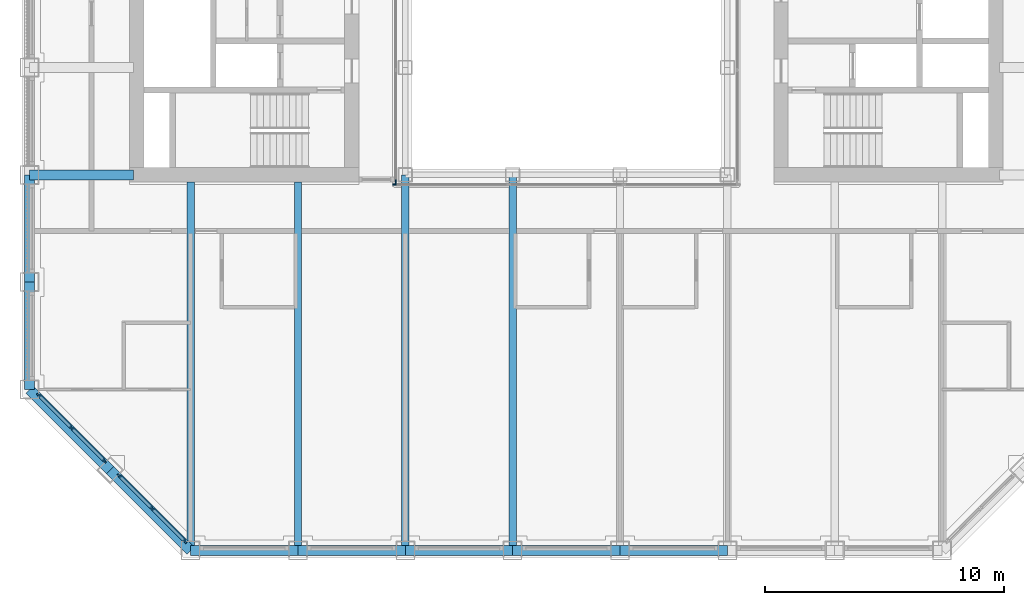
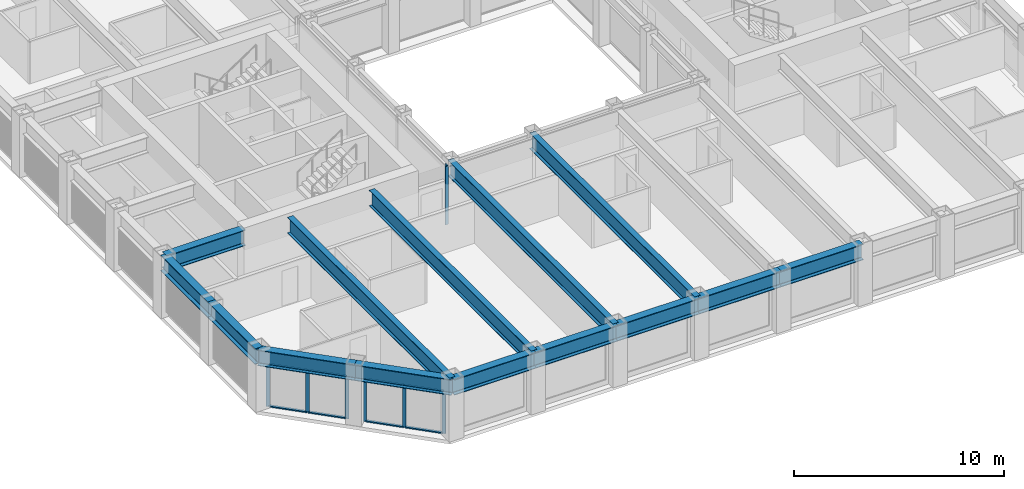
# One storey, part 2 of 17: 16 members, 14 beams, 4 elements without a shape of their own.
"""IFC4 building model written with IfcOpenShell, lengths in metres."""

from ifc_helpers import new_model, si_unit, direction, frame, origin, origin_2d, place, context, subcontext, project, spatial, rectangle, i_section, extrude, material, material_profile, profile_set, type_object, element, aggregate, save


model = new_model("IFC4")

# Units and contexts
model_context = context("Model", 3, precision=1e-05, world=origin(), true_north=direction((0.0, 1.0)))
body_context = subcontext(model_context, "Body", "Model", "MODEL_VIEW")
ifc_project = project(units=[si_unit("LENGTHUNIT", "METRE"), si_unit("AREAUNIT", "SQUARE_METRE"), si_unit("VOLUMEUNIT", "CUBIC_METRE"), si_unit("PLANEANGLEUNIT", "RADIAN"), si_unit("MASSUNIT", "GRAM", prefix="KILO")], contexts=[model_context])

# Site, building, storey
site_placement = place(None, origin())
site = spatial("IfcSite", under=ifc_project, at=site_placement, CompositionType="ELEMENT")
building_placement = place(site_placement, origin())
building = spatial("IfcBuilding", under=site, at=building_placement, Name="Msasa Ring Tower", CompositionType="ELEMENT")
storey_placement = place(building_placement, frame((0.0, 0.0, 168.800048828125)))
storey = spatial("IfcBuildingStorey", under=building, at=storey_placement, Name="L44", CompositionType="ELEMENT", Elevation=168.800048828125)

# Curtain wall, members
ifc_material_1 = material(Name="Aluminium curtain wall with clear glass", Category="aluminium")
curtain_wall_type_1 = type_object("IfcCurtainWallType", Name="CW-C CHAMFER CORNER CURTAIN WALL", PredefinedType="NOTDEFINED", material=ifc_material_1)
curtain_wall_1_placement = place(storey_placement, origin())
curtain_wall_1 = element("IfcCurtainWall", 1, at=curtain_wall_1_placement, inside=storey, type_object=curtain_wall_type_1, Name="Chamfer corner curtain wall SW L44", PredefinedType="NOTDEFINED")
ifc_material_2 = material(Name="Aluminium mullion", Category="aluminium")
ifc_material_profile_1 = material_profile(ifc_material_2, rectangle(XDim=0.06494140625, YDim=0.179931640625, at=origin_2d()), Name="AL 65x180")
ifc_profile_set_1 = profile_set([ifc_material_profile_1], Name="Aluminium mullion")
member_type_1 = type_object("IfcMemberType", Name="CW-C MULLION 65x180", PredefinedType="MULLION", material=ifc_profile_set_1)
member_1_placement = place(storey_placement, frame((-22.119873046875, -15.98876953125, 0.0), z_axis=(0.0, 0.0, 1.0), x_axis=(0.707106781187, 0.707106781187, 0.0)))
member_1 = element("IfcMember", 2, at=member_1_placement, type_object=member_type_1, Name="CW-C mullion 1", PredefinedType="MULLION", context=body_context, shape_type="SweptSolid", body=[
    extrude(rectangle(XDim=0.06494140625, YDim=0.179931640625, at=origin_2d()), origin(), (0.0, 0.0, 1.0), 2.47900390625),
])
member_2_placement = place(storey_placement, frame((-20.74169921875, -17.36669921875, 0.0), z_axis=(0.0, 0.0, 1.0), x_axis=(0.707106781187, 0.707106781187, 0.0)))
member_2 = element("IfcMember", 3, at=member_2_placement, type_object=member_type_1, Name="CW-C mullion 2", PredefinedType="MULLION", context=body_context, shape_type="SweptSolid", body=[
    extrude(rectangle(XDim=0.06494140625, YDim=0.179931640625, at=origin_2d()), origin(), (0.0, 0.0, 1.0), 2.47900390625),
])
member_3_placement = place(storey_placement, frame((-19.36376953125, -18.744873046875, 0.0), z_axis=(0.0, 0.0, 1.0), x_axis=(0.707106781187, 0.707106781187, 0.0)))
member_3 = element("IfcMember", 4, at=member_3_placement, type_object=member_type_1, Name="CW-C mullion 3", PredefinedType="MULLION", context=body_context, shape_type="SweptSolid", body=[
    extrude(rectangle(XDim=0.06494140625, YDim=0.179931640625, at=origin_2d()), origin(), (0.0, 0.0, 1.0), 2.47900390625),
])

curtain_wall_2_placement = place(storey_placement, origin())
curtain_wall_2 = element("IfcCurtainWall", 5, at=curtain_wall_2_placement, inside=storey, type_object=curtain_wall_type_1, Name="Chamfer corner curtain wall SW L44", PredefinedType="NOTDEFINED")
member_4_placement = place(storey_placement, frame((-18.744873046875, -19.36376953125, 0.0), z_axis=(0.0, 0.0, 1.0), x_axis=(0.707106781187, 0.707106781187, 0.0)))
member_4 = element("IfcMember", 6, at=member_4_placement, type_object=member_type_1, Name="CW-C mullion 1", PredefinedType="MULLION", context=body_context, shape_type="SweptSolid", body=[
    extrude(rectangle(XDim=0.06494140625, YDim=0.179931640625, at=origin_2d()), origin(), (0.0, 0.0, 1.0), 2.47900390625),
])
member_5_placement = place(storey_placement, frame((-17.36669921875, -20.74169921875, 0.0), z_axis=(0.0, 0.0, 1.0), x_axis=(0.707106781187, 0.707106781187, 0.0)))
member_5 = element("IfcMember", 7, at=member_5_placement, type_object=member_type_1, Name="CW-C mullion 2", PredefinedType="MULLION", context=body_context, shape_type="SweptSolid", body=[
    extrude(rectangle(XDim=0.06494140625, YDim=0.179931640625, at=origin_2d()), origin(), (0.0, 0.0, 1.0), 2.47900390625),
])
member_6_placement = place(storey_placement, frame((-15.98876953125, -22.119873046875, 0.0), z_axis=(0.0, 0.0, 1.0), x_axis=(0.707106781187, 0.707106781187, 0.0)))
member_6 = element("IfcMember", 8, at=member_6_placement, type_object=member_type_1, Name="CW-C mullion 3", PredefinedType="MULLION", context=body_context, shape_type="SweptSolid", body=[
    extrude(rectangle(XDim=0.06494140625, YDim=0.179931640625, at=origin_2d()), origin(), (0.0, 0.0, 1.0), 2.47900390625),
])

# Member
ifc_material_3 = material(Name="Aluminium transom", Category="aluminium")
ifc_material_profile_2 = material_profile(ifc_material_3, rectangle(XDim=0.139892578125, YDim=0.06494140625, at=origin_2d()), Name="AL 65x140")
ifc_profile_set_2 = profile_set([ifc_material_profile_2], Name="Aluminium transom")
member_type_2 = type_object("IfcMemberType", Name="CW-C TRANSOM 65x140", PredefinedType="USERDEFINED", material=ifc_profile_set_2)
member_7_placement = place(storey_placement, frame((-22.096923828125, -16.01171875, 0.032470703125), z_axis=(0.707106781187, -0.707106781187, 0.0), x_axis=(0.707106781187, 0.707106781187, 0.0)))
member_7 = element("IfcMember", 9, at=member_7_placement, type_object=member_type_2, Name="CW-C transom 1.1", ObjectType="TRANSOM", PredefinedType="USERDEFINED", context=body_context, shape_type="SweptSolid", body=[
    extrude(rectangle(XDim=0.139892578125, YDim=0.06494140625, at=origin_2d()), origin(), (0.0, 0.0, 1.0), 1.8837890625),
])

member_8_placement = place(storey_placement, frame((-22.096923828125, -16.01171875, 2.446533203125), z_axis=(0.707106781187, -0.707106781187, 0.0), x_axis=(0.707106781187, 0.707106781187, 0.0)))
member_8 = element("IfcMember", 10, at=member_8_placement, type_object=member_type_2, Name="CW-C transom 1.2", ObjectType="TRANSOM", PredefinedType="USERDEFINED", context=body_context, shape_type="SweptSolid", body=[
    extrude(rectangle(XDim=0.139892578125, YDim=0.06494140625, at=origin_2d()), origin(), (0.0, 0.0, 1.0), 1.8837890625),
])

member_9_placement = place(storey_placement, frame((-20.71875, -17.389892578125, 0.032470703125), z_axis=(0.707106781187, -0.707106781187, 0.0), x_axis=(0.707106781187, 0.707106781187, 0.0)))
member_9 = element("IfcMember", 11, at=member_9_placement, type_object=member_type_2, Name="CW-C transom 2.1", ObjectType="TRANSOM", PredefinedType="USERDEFINED", context=body_context, shape_type="SweptSolid", body=[
    extrude(rectangle(XDim=0.139892578125, YDim=0.06494140625, at=origin_2d()), origin(), (0.0, 0.0, 1.0), 1.8837890625),
])

member_10_placement = place(storey_placement, frame((-20.71875, -17.389892578125, 2.446533203125), z_axis=(0.707106781187, -0.707106781187, 0.0), x_axis=(0.707106781187, 0.707106781187, 0.0)))
member_10 = element("IfcMember", 12, at=member_10_placement, type_object=member_type_2, Name="CW-C transom 2.2", ObjectType="TRANSOM", PredefinedType="USERDEFINED", context=body_context, shape_type="SweptSolid", body=[
    extrude(rectangle(XDim=0.139892578125, YDim=0.06494140625, at=origin_2d()), origin(), (0.0, 0.0, 1.0), 1.8837890625),
])

aggregate(curtain_wall_1, [member_1, member_2, member_3, member_7, member_8, member_9, member_10])

member_11_placement = place(storey_placement, frame((-18.721923828125, -19.38671875, 0.032470703125), z_axis=(0.707106781187, -0.707106781187, 0.0), x_axis=(0.707106781187, 0.707106781187, 0.0)))
member_11 = element("IfcMember", 13, at=member_11_placement, type_object=member_type_2, Name="CW-C transom 1.1", ObjectType="TRANSOM", PredefinedType="USERDEFINED", context=body_context, shape_type="SweptSolid", body=[
    extrude(rectangle(XDim=0.139892578125, YDim=0.06494140625, at=origin_2d()), origin(), (0.0, 0.0, 1.0), 1.8837890625),
])

member_12_placement = place(storey_placement, frame((-18.721923828125, -19.38671875, 2.446533203125), z_axis=(0.707106781187, -0.707106781187, 0.0), x_axis=(0.707106781187, 0.707106781187, 0.0)))
member_12 = element("IfcMember", 14, at=member_12_placement, type_object=member_type_2, Name="CW-C transom 1.2", ObjectType="TRANSOM", PredefinedType="USERDEFINED", context=body_context, shape_type="SweptSolid", body=[
    extrude(rectangle(XDim=0.139892578125, YDim=0.06494140625, at=origin_2d()), origin(), (0.0, 0.0, 1.0), 1.8837890625),
])

member_13_placement = place(storey_placement, frame((-17.34375, -20.764892578125, 0.032470703125), z_axis=(0.707106781187, -0.707106781187, 0.0), x_axis=(0.707106781187, 0.707106781187, 0.0)))
member_13 = element("IfcMember", 15, at=member_13_placement, type_object=member_type_2, Name="CW-C transom 2.1", ObjectType="TRANSOM", PredefinedType="USERDEFINED", context=body_context, shape_type="SweptSolid", body=[
    extrude(rectangle(XDim=0.139892578125, YDim=0.06494140625, at=origin_2d()), origin(), (0.0, 0.0, 1.0), 1.8837890625),
])

member_14_placement = place(storey_placement, frame((-17.34375, -20.764892578125, 2.446533203125), z_axis=(0.707106781187, -0.707106781187, 0.0), x_axis=(0.707106781187, 0.707106781187, 0.0)))
member_14 = element("IfcMember", 16, at=member_14_placement, type_object=member_type_2, Name="CW-C transom 2.2", ObjectType="TRANSOM", PredefinedType="USERDEFINED", context=body_context, shape_type="SweptSolid", body=[
    extrude(rectangle(XDim=0.139892578125, YDim=0.06494140625, at=origin_2d()), origin(), (0.0, 0.0, 1.0), 1.8837890625),
])

aggregate(curtain_wall_2, [member_4, member_5, member_6, member_11, member_12, member_13, member_14])

# Curtain wall, member
ifc_material_4 = material(Name="Aluminium curtain wall with clear glass", Category="aluminium")
curtain_wall_type_2 = type_object("IfcCurtainWallType", Name="CW-W LIGHT WELL CURTAIN WALL", PredefinedType="NOTDEFINED", material=ifc_material_4)
curtain_wall_3_placement = place(storey_placement, origin())
curtain_wall_3 = element("IfcCurtainWall", 17, at=curtain_wall_3_placement, inside=storey, type_object=curtain_wall_type_2, Name="Light well curtain wall S L44", PredefinedType="NOTDEFINED")
ifc_material_5 = material(Name="Aluminium mullion", Category="aluminium")
ifc_material_profile_3 = material_profile(ifc_material_5, rectangle(XDim=0.06005859375, YDim=0.159912109375, at=origin_2d()), Name="AL 60x160")
ifc_profile_set_3 = profile_set([ifc_material_profile_3], Name="Aluminium mullion")
member_type_3 = type_object("IfcMemberType", Name="CW-W MULLION 60x160", PredefinedType="MULLION", material=ifc_profile_set_3)
member_15_placement = place(storey_placement, frame((-7.199951171875, -7.14990234375, 0.0), z_axis=(0.0, 0.0, 1.0), x_axis=(0.0, 1.0, 0.0)))
member_15 = element("IfcMember", 18, at=member_15_placement, type_object=member_type_3, Name="CW-W mullion 1", PredefinedType="MULLION", context=body_context, shape_type="SweptSolid", body=[
    extrude(rectangle(XDim=0.06005859375, YDim=0.159912109375, at=origin_2d()), origin(), (0.0, 0.0, 1.0), 3.39990234375),
])
aggregate(curtain_wall_3, [member_15])

curtain_wall_4_placement = place(storey_placement, origin())
curtain_wall_4 = element("IfcCurtainWall", 19, at=curtain_wall_4_placement, inside=storey, type_object=curtain_wall_type_2, Name="Light well curtain wall W L44", PredefinedType="NOTDEFINED")
member_16_placement = place(storey_placement, frame((-7.14990234375, -7.0400390625, 0.0), z_axis=(0.0, 0.0, 1.0), x_axis=(-1.0, 0.0, 0.0)))
member_16 = element("IfcMember", 20, at=member_16_placement, type_object=member_type_3, Name="CW-W mullion 1", PredefinedType="MULLION", context=body_context, shape_type="SweptSolid", body=[
    extrude(rectangle(XDim=0.06005859375, YDim=0.159912109375, at=origin_2d()), origin(), (0.0, 0.0, 1.0), 3.39990234375),
])
aggregate(curtain_wall_4, [member_16])

# Beams
ifc_material_6 = material(Name="Steel S355", Category="steel")
ifc_material_profile_4 = material_profile(ifc_material_6, i_section(OverallWidth=0.3076171875, OverallDepth=0.926513671875, WebThickness=0.01953125, FlangeThickness=0.031982421875, FilletRadius=0.01904296875, at=origin_2d()), Name="UB 914x305x289")
ifc_profile_set_4 = profile_set([ifc_material_profile_4], Name="Steel S355")
beam_type_1 = type_object("IfcBeamType", Name="FB3 UB 914x305x289", PredefinedType="BEAM", material=ifc_profile_set_4)
for number, where, z_axis, x_axis, name in (
    (21, (-15.75, -22.5, 2.936767578125), (0.0, 1.0, 0.0), (-1.0, 0.0, 0.0), "Floor beam S-15.75 under L45"),
    (22, (-11.25, -22.5, 2.936767578125), (0.0, 1.0, 0.0), (-1.0, 0.0, 0.0), "Floor beam S-11.25 under L45"),
):
    element("IfcBeam", number, at=place(storey_placement, frame(where, z_axis=z_axis, x_axis=x_axis)), inside=storey, type_object=beam_type_1, Name=name, PredefinedType="BEAM", context=body_context, shape_type="SweptSolid", body=[
        extrude(i_section(OverallWidth=0.3076171875, OverallDepth=0.926513671875, WebThickness=0.01953125, FlangeThickness=0.031982421875, FilletRadius=0.01904296875, at=origin_2d()), origin(), (0.0, 0.0, 1.0), 15.449951171875),
    ])
for number, where, z_axis, x_axis, name in (
    (23, (-6.75, -22.5, 2.936767578125), (0.0, 1.0, 0.0), (-1.0, 0.0, 0.0), "Floor beam S-6.75 under L45"),
    (24, (-2.25, -22.5, 2.936767578125), (0.0, 1.0, 0.0), (-1.0, 0.0, 0.0), "Floor beam S-2.25 under L45"),
):
    element("IfcBeam", number, at=place(storey_placement, frame(where, z_axis=z_axis, x_axis=x_axis)), inside=storey, type_object=beam_type_1, Name=name, PredefinedType="BEAM", context=body_context, shape_type="SweptSolid", body=[
        extrude(i_section(OverallWidth=0.3076171875, OverallDepth=0.926513671875, WebThickness=0.01953125, FlangeThickness=0.031982421875, FilletRadius=0.01904296875, at=origin_2d()), origin(), (0.0, 0.0, 1.0), 15.75),
    ])
ifc_material_7 = material(Name="Steel S355", Category="steel")
ifc_material_profile_5 = material_profile(ifc_material_7, i_section(OverallWidth=0.42041015625, OverallDepth=0.9208984375, WebThickness=0.021484375, FlangeThickness=0.03662109375, FilletRadius=0.024169921875, at=origin_2d()), Name="UB 914x419x388")
ifc_profile_set_5 = profile_set([ifc_material_profile_5], Name="Steel S355")
beam_type_2 = type_object("IfcBeamType", Name="GB1 UB 914x419x388", PredefinedType="BEAM", material=ifc_profile_set_5)
beam_placement = place(storey_placement, frame((-18.14990234375, -6.75, 2.939453125), z_axis=(-1.0, 0.0, 0.0), x_axis=(0.0, -1.0, 0.0)))
element("IfcBeam", 25, at=beam_placement, inside=storey, type_object=beam_type_2, Name="Girder W -6.75 under L45", PredefinedType="BEAM", context=body_context, shape_type="SweptSolid", body=[
    extrude(i_section(OverallWidth=0.42041015625, OverallDepth=0.9208984375, WebThickness=0.021484375, FlangeThickness=0.03662109375, FilletRadius=0.024169921875, at=origin_2d()), origin(), (0.0, 0.0, 1.0), 4.35009765625),
])
ifc_material_8 = material(Name="Steel S355", Category="steel")
ifc_material_profile_6 = material_profile(ifc_material_8, i_section(OverallWidth=0.42041015625, OverallDepth=0.9208984375, WebThickness=0.021484375, FlangeThickness=0.03662109375, FilletRadius=0.024169921875, at=origin_2d()), Name="UB 914x419x388")
ifc_profile_set_6 = profile_set([ifc_material_profile_6], Name="Steel S355")
beam_type_3 = type_object("IfcBeamType", Name="SB1 UB 914x419x388", PredefinedType="SPANDREL", material=ifc_profile_set_6)
for number, where, z_axis, x_axis, name in (
    (26, (-22.5, -6.75, 2.939453125), (0.0, -1.0, 0.0), (1.0, 0.0, 0.0), "Spandrel W-6.75 to W-11.25 under L45"),
    (27, (-22.5, -11.25, 2.939453125), (0.0, -1.0, 0.0), (1.0, 0.0, 0.0), "Spandrel W-11.25 to W-15.75 under L45"),
):
    element("IfcBeam", number, at=place(storey_placement, frame(where, z_axis=z_axis, x_axis=x_axis)), inside=storey, type_object=beam_type_3, Name=name, PredefinedType="SPANDREL", context=body_context, shape_type="SweptSolid", body=[
        extrude(i_section(OverallWidth=0.42041015625, OverallDepth=0.9208984375, WebThickness=0.021484375, FlangeThickness=0.03662109375, FilletRadius=0.024169921875, at=origin_2d()), origin(), (0.0, 0.0, 1.0), 4.5),
    ])
for number, where, z_axis, x_axis, name in (
    (28, (-22.5, -15.75, 2.939453125), (0.707106781187, -0.707106781187, 0.0), (0.707106781187, 0.707106781187, 0.0), "Spandrel W-15.75 to SW under L45"),
    (29, (-19.125, -19.125, 2.939453125), (0.707106781187, -0.707106781187, 0.0), (0.707106781187, 0.707106781187, 0.0), "Spandrel SW to S-15.75 under L45"),
):
    element("IfcBeam", number, at=place(storey_placement, frame(where, z_axis=z_axis, x_axis=x_axis)), inside=storey, type_object=beam_type_3, Name=name, PredefinedType="SPANDREL", context=body_context, shape_type="SweptSolid", body=[
        extrude(i_section(OverallWidth=0.42041015625, OverallDepth=0.9208984375, WebThickness=0.021484375, FlangeThickness=0.03662109375, FilletRadius=0.024169921875, at=origin_2d()), origin(), (0.0, 0.0, 1.0), 4.77294921875),
    ])
for number, where, z_axis, x_axis, name in (
    (30, (-15.75, -22.5, 2.939453125), (1.0, 0.0, 0.0), (0.0, 1.0, 0.0), "Spandrel S-15.75 to S-11.25 under L45"),
    (31, (-11.25, -22.5, 2.939453125), (1.0, 0.0, 0.0), (0.0, 1.0, 0.0), "Spandrel S-11.25 to S-6.75 under L45"),
    (32, (-6.75, -22.5, 2.939453125), (1.0, 0.0, 0.0), (0.0, 1.0, 0.0), "Spandrel S-6.75 to S-2.25 under L45"),
    (33, (-2.25, -22.5, 2.939453125), (1.0, 0.0, 0.0), (0.0, 1.0, 0.0), "Spandrel S-2.25 to S+2.25 under L45"),
    (34, (2.25, -22.5, 2.939453125), (1.0, 0.0, 0.0), (0.0, 1.0, 0.0), "Spandrel S+2.25 to S+6.75 under L45"),
):
    element("IfcBeam", number, at=place(storey_placement, frame(where, z_axis=z_axis, x_axis=x_axis)), inside=storey, type_object=beam_type_3, Name=name, PredefinedType="SPANDREL", context=body_context, shape_type="SweptSolid", body=[
        extrude(i_section(OverallWidth=0.42041015625, OverallDepth=0.9208984375, WebThickness=0.021484375, FlangeThickness=0.03662109375, FilletRadius=0.024169921875, at=origin_2d()), origin(), (0.0, 0.0, 1.0), 4.5),
    ])

save(model, "model.ifc")
